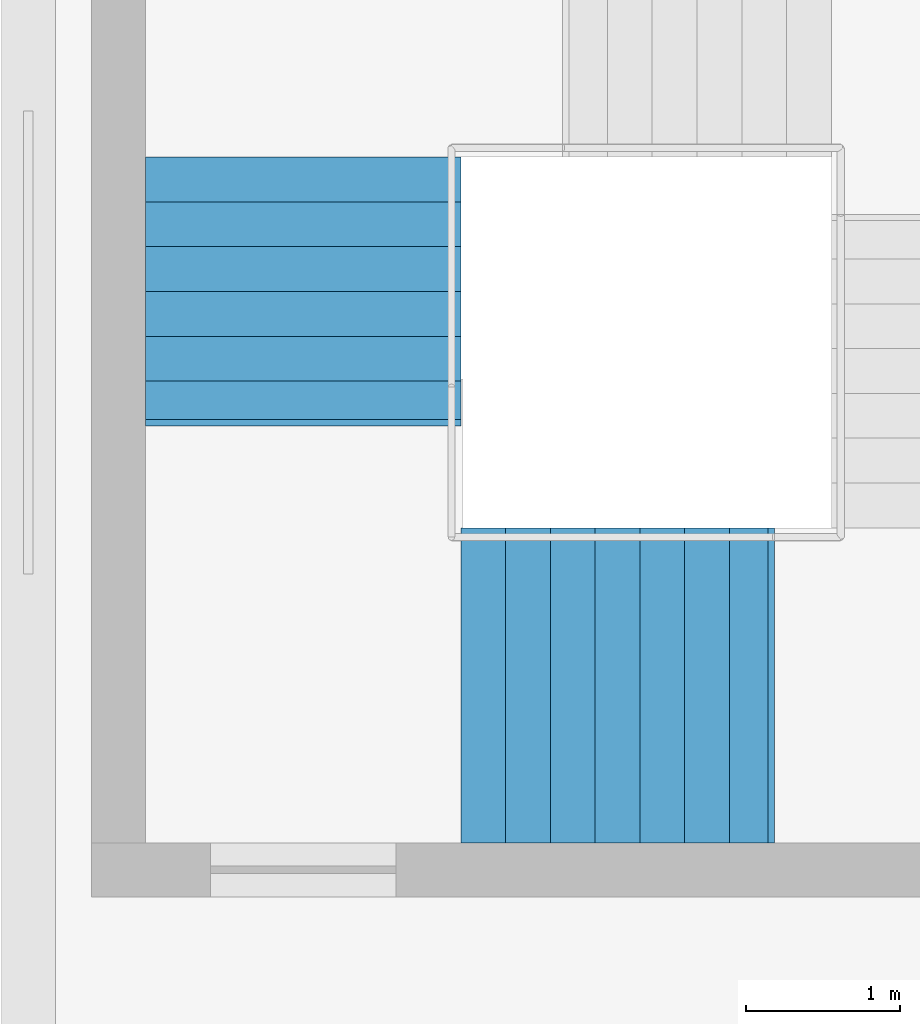
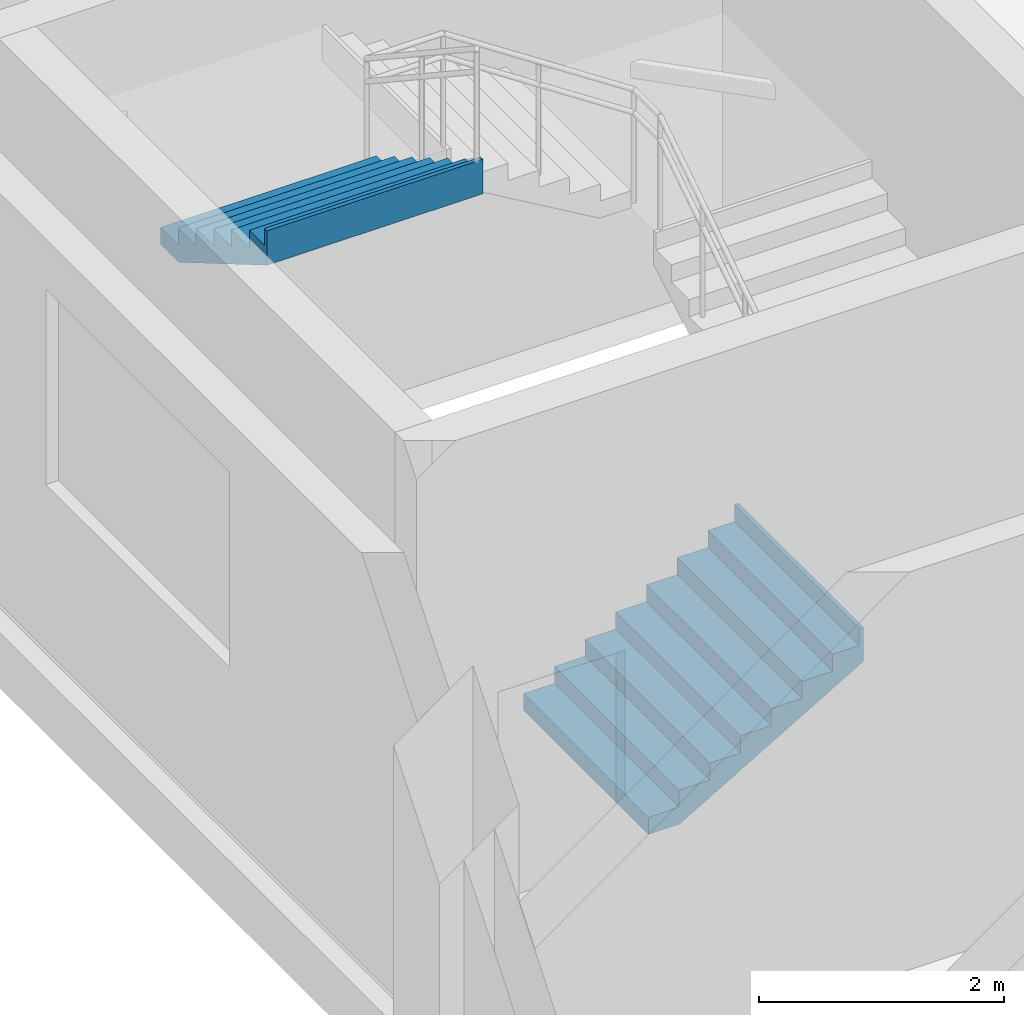
# One storey, part 56 of 67: 2 stair flights, 1 element without a shape of its own.
"""IFC4 building model written with IfcOpenShell, lengths in metres."""

from ifc_helpers import new_model, si_unit, direction, frame, origin, place, context, subcontext, project, spatial, triangles, material, type_object, element, aggregate, save


model = new_model("IFC4")

# Units and contexts
model_context = context("Model", 3, precision=1e-05, world=origin(), true_north=direction((0.0, 1.0)))
body_context = subcontext(model_context, "Body", "Model", "MODEL_VIEW")
ifc_project = project(units=[si_unit("LENGTHUNIT", "METRE"), si_unit("AREAUNIT", "SQUARE_METRE"), si_unit("VOLUMEUNIT", "CUBIC_METRE"), si_unit("PLANEANGLEUNIT", "RADIAN"), si_unit("MASSUNIT", "GRAM", prefix="KILO")], contexts=[model_context])

# Site, building, storey
site_placement = place(None, origin())
site = spatial("IfcSite", under=ifc_project, at=site_placement, CompositionType="ELEMENT")
building_placement = place(site_placement, origin())
building = spatial("IfcBuilding", under=site, at=building_placement, Name="Sillaruma Civic Art Gallery", CompositionType="ELEMENT")
storey_placement = place(building_placement, frame((0.0, 0.0, 46.919921875)))
storey = spatial("IfcBuildingStorey", under=building, at=storey_placement, Name="L09", CompositionType="ELEMENT", Elevation=46.919921875)

# Stair, stair flights
ifc_material = material(Name="Concrete H35 (35 MPa)", Category="concrete")
stair_type = type_object("IfcStairType", Name="STR-4F-30", PredefinedType="USERDEFINED", material=ifc_material)
stair_placement = place(storey_placement, origin())
stair = element("IfcStair", 1, at=stair_placement, inside=storey, type_object=stair_type, Name="Protected Exit Stair ST-03 (West Bar South) (L09)", ObjectType="THREE_RETURN_STAIR", PredefinedType="USERDEFINED")
stair_flight_type_1 = type_object("IfcStairFlightType", Name="SFL-STR-7", PredefinedType="STRAIGHT", material=ifc_material)
stair_flight_1_placement = place(storey_placement, frame((63.780029296875, 35.85009765625, 3.91015625), z_axis=(0.0, 0.0, 1.0), x_axis=(0.0, -1.0, 0.0)))
stair_flight_1 = element("IfcStairFlight", 2, at=stair_flight_1_placement, type_object=stair_flight_type_1, Name="ST-03 flight 4", NumberOfRisers=7, NumberOfTreads=6, PredefinedType="STRAIGHT", RiserHeight=0.17, TreadLength=0.29, context=body_context, shape_type="Tessellation", body=[
    triangles([(0.0, -1.02001953125, 0.0), (0.29, -1.02001953125, 0.0), (0.296404, -1.02001953125, 0.0), (0.58, -1.02001953125, 0.166246), (0.87, -1.02001953125, 0.336246), (1.16, -1.02001953125, 0.506246), (1.45, -1.02001953125, 0.676246), (1.69999, -1.02001953125, 0.822792), (1.73999, -1.02001953125, 0.84624), (1.73999, -1.02001953125, 1.19), (1.69999, -1.02001953125, 1.19), (1.69999, -1.02001953125, 1.02), (1.45, -1.02001953125, 1.02), (1.45, -1.02001953125, 0.85), (1.16, -1.02001953125, 0.85), (1.16, -1.02001953125, 0.68), (0.87, -1.02001953125, 0.68), (0.87, -1.02001953125, 0.51), (0.58, -1.02001953125, 0.51), (0.58, -1.02001953125, 0.34), (0.296404, -1.02001953125, 0.34), (0.29, -1.02001953125, 0.34), (0.29, -1.02001953125, 0.17), (0.0, -1.02001953125, 0.17), (0.0, -0.05, 0.0), (0.29, -0.05, 0.0), (0.296404, -0.05, 0.0), (0.58, -0.05, 0.166246), (0.87, -0.05, 0.336246), (1.16, -0.05, 0.506246), (1.45, -0.05, 0.676246), (1.69999, -0.05, 0.822792), (1.73999, -0.05, 0.84624), (1.73999, -0.05, 1.19), (1.69999, -0.05, 1.19), (1.69999, -0.05, 1.02), (1.45, -0.05, 1.02), (1.45, -0.05, 0.85), (1.16, -0.05, 0.85), (1.16, -0.05, 0.68), (0.87, -0.05, 0.68), (0.87, -0.05, 0.51), (0.58, -0.05, 0.51), (0.58, -0.05, 0.34), (0.296404, -0.05, 0.34), (0.29, -0.05, 0.34), (0.29, -0.05, 0.17), (0.0, -0.05, 0.17), (0.0, -0.0375, 0.0), (0.29, -0.0375, 0.0), (0.296404, -0.0375, 0.0), (0.58, -0.0375, 0.166246), (0.87, -0.0375, 0.336246), (1.16, -0.0375, 0.506246), (1.45, -0.0375, 0.676246), (1.69999, -0.0375, 0.822792), (1.73999, -0.0375, 0.84624), (1.73999, -0.0375, 1.19), (1.69999, -0.0375, 1.19), (1.69999, -0.0375, 1.02), (1.45, -0.0375, 1.02), (1.45, -0.0375, 0.85), (1.16, -0.0375, 0.85), (1.16, -0.0375, 0.68), (0.87, -0.0375, 0.68), (0.87, -0.0375, 0.51), (0.58, -0.0375, 0.51), (0.58, -0.0375, 0.34), (0.296404, -0.0375, 0.34), (0.29, -0.0375, 0.34), (0.29, -0.0375, 0.17), (0.0, -0.0375, 0.17), (0.0, -0.025, 0.0), (0.29, -0.025, 0.0), (0.296404, -0.025, 0.0), (0.58, -0.025, 0.166246), (0.87, -0.025, 0.336246), (1.16, -0.025, 0.506246), (1.45, -0.025, 0.676246), (1.69999, -0.025, 0.822792), (1.73999, -0.025, 0.84624), (1.73999, -0.025, 1.19), (1.69999, -0.025, 1.19), (1.69999, -0.025, 1.02), (1.45, -0.025, 1.02), (1.45, -0.025, 0.85), (1.16, -0.025, 0.85), (1.16, -0.025, 0.68), (0.87, -0.025, 0.68), (0.87, -0.025, 0.51), (0.58, -0.025, 0.51), (0.58, -0.025, 0.34), (0.296404, -0.025, 0.34), (0.29, -0.025, 0.34), (0.29, -0.025, 0.17), (0.0, -0.025, 0.17), (0.0, -0.0125, 0.0), (0.29, -0.0125, 0.0), (0.296404, -0.0125, 0.0), (0.58, -0.0125, 0.166246), (0.87, -0.0125, 0.336246), (1.16, -0.0125, 0.506246), (1.45, -0.0125, 0.676246), (1.69999, -0.0125, 0.822792), (1.73999, -0.0125, 0.84624), (1.73999, -0.0125, 1.19), (1.69999, -0.0125, 1.19), (1.69999, -0.0125, 1.02), (1.45, -0.0125, 1.02), (1.45, -0.0125, 0.85), (1.16, -0.0125, 0.85), (1.16, -0.0125, 0.68), (0.87, -0.0125, 0.68), (0.87, -0.0125, 0.51), (0.58, -0.0125, 0.51), (0.58, -0.0125, 0.34), (0.296404, -0.0125, 0.34), (0.29, -0.0125, 0.34), (0.29, -0.0125, 0.17), (0.0, -0.0125, 0.17), (0.0, 0.0, 0.0), (0.29, 0.0, 0.0), (0.296404, 0.0, 0.0), (0.58, 0.0, 0.166246), (0.87, 0.0, 0.336246), (1.16, 0.0, 0.506246), (1.45, 0.0, 0.676246), (1.69999, 0.0, 0.822792), (1.73999, 0.0, 0.84624), (1.73999, 0.0, 1.19), (1.69999, 0.0, 1.19), (1.69999, 0.0, 1.02), (1.45, 0.0, 1.02), (1.45, 0.0, 0.85), (1.16, 0.0, 0.85), (1.16, 0.0, 0.68), (0.87, 0.0, 0.68), (0.87, 0.0, 0.51), (0.58, 0.0, 0.51), (0.58, 0.0, 0.34), (0.296404, 0.0, 0.34), (0.29, 0.0, 0.34), (0.29, 0.0, 0.17), (0.0, 0.0, 0.17), (0.0, 0.0125, 0.0), (0.29, 0.0125, 0.0), (0.296404, 0.0125, 0.0), (0.58, 0.0125, 0.166246), (0.87, 0.0125, 0.336246), (1.16, 0.0125, 0.506246), (1.45, 0.0125, 0.676246), (1.69999, 0.0125, 0.822792), (1.73999, 0.0125, 0.84624), (1.73999, 0.0125, 1.19), (1.69999, 0.0125, 1.19), (1.69999, 0.0125, 1.02), (1.45, 0.0125, 1.02), (1.45, 0.0125, 0.85), (1.16, 0.0125, 0.85), (1.16, 0.0125, 0.68), (0.87, 0.0125, 0.68), (0.87, 0.0125, 0.51), (0.58, 0.0125, 0.51), (0.58, 0.0125, 0.34), (0.296404, 0.0125, 0.34), (0.29, 0.0125, 0.34), (0.29, 0.0125, 0.17), (0.0, 0.0125, 0.17), (0.0, 0.025, 0.0), (0.29, 0.025, 0.0), (0.296404, 0.025, 0.0), (0.58, 0.025, 0.166246), (0.87, 0.025, 0.336246), (1.16, 0.025, 0.506246), (1.45, 0.025, 0.676246), (1.69999, 0.025, 0.822792), (1.73999, 0.025, 0.84624), (1.73999, 0.025, 1.19), (1.69999, 0.025, 1.19), (1.69999, 0.025, 1.02), (1.45, 0.025, 1.02), (1.45, 0.025, 0.85), (1.16, 0.025, 0.85), (1.16, 0.025, 0.68), (0.87, 0.025, 0.68), (0.87, 0.025, 0.51), (0.58, 0.025, 0.51), (0.58, 0.025, 0.34), (0.296404, 0.025, 0.34), (0.29, 0.025, 0.34), (0.29, 0.025, 0.17), (0.0, 0.025, 0.17), (0.0, 0.0375, 0.0), (0.29, 0.0375, 0.0), (0.296404, 0.0375, 0.0), (0.58, 0.0375, 0.166246), (0.87, 0.0375, 0.336246), (1.16, 0.0375, 0.506246), (1.45, 0.0375, 0.676246), (1.69999, 0.0375, 0.822792), (1.73999, 0.0375, 0.84624), (1.73999, 0.0375, 1.19), (1.69999, 0.0375, 1.19), (1.69999, 0.0375, 1.02), (1.45, 0.0375, 1.02), (1.45, 0.0375, 0.85), (1.16, 0.0375, 0.85), (1.16, 0.0375, 0.68), (0.87, 0.0375, 0.68), (0.87, 0.0375, 0.51), (0.58, 0.0375, 0.51), (0.58, 0.0375, 0.34), (0.296404, 0.0375, 0.34), (0.29, 0.0375, 0.34), (0.29, 0.0375, 0.17), (0.0, 0.0375, 0.17), (0.0, 0.05, 0.0), (0.29, 0.05, 0.0), (0.296404, 0.05, 0.0), (0.58, 0.05, 0.166246), (0.87, 0.05, 0.336246), (1.16, 0.05, 0.506246), (1.45, 0.05, 0.676246), (1.69999, 0.05, 0.822792), (1.73999, 0.05, 0.84624), (1.73999, 0.05, 1.19), (1.69999, 0.05, 1.19), (1.69999, 0.05, 1.02), (1.45, 0.05, 1.02), (1.45, 0.05, 0.85), (1.16, 0.05, 0.85), (1.16, 0.05, 0.68), (0.87, 0.05, 0.68), (0.87, 0.05, 0.51), (0.58, 0.05, 0.51), (0.58, 0.05, 0.34), (0.296404, 0.05, 0.34), (0.29, 0.05, 0.34), (0.29, 0.05, 0.17), (0.0, 0.05, 0.17), (0.0, 1.02001953125, 0.0), (0.29, 1.02001953125, 0.0), (0.296404, 1.02001953125, 0.0), (0.58, 1.02001953125, 0.166246), (0.87, 1.02001953125, 0.336246), (1.16, 1.02001953125, 0.506246), (1.45, 1.02001953125, 0.676246), (1.69999, 1.02001953125, 0.822792), (1.73999, 1.02001953125, 0.84624), (1.73999, 1.02001953125, 1.19), (1.69999, 1.02001953125, 1.19), (1.69999, 1.02001953125, 1.02), (1.45, 1.02001953125, 1.02), (1.45, 1.02001953125, 0.85), (1.16, 1.02001953125, 0.85), (1.16, 1.02001953125, 0.68), (0.87, 1.02001953125, 0.68), (0.87, 1.02001953125, 0.51), (0.58, 1.02001953125, 0.51), (0.58, 1.02001953125, 0.34), (0.296404, 1.02001953125, 0.34), (0.29, 1.02001953125, 0.34), (0.29, 1.02001953125, 0.17), (0.0, 1.02001953125, 0.17)], [[1, 2, 23], [1, 23, 24], [2, 3, 21], [2, 21, 23], [23, 21, 22], [3, 4, 20], [3, 20, 21], [4, 5, 18], [4, 18, 20], [20, 18, 19], [5, 6, 16], [5, 16, 18], [18, 16, 17], [6, 7, 14], [6, 14, 16], [16, 14, 15], [7, 8, 12], [7, 12, 14], [14, 12, 13], [8, 9, 10], [8, 10, 12], [12, 10, 11], [263, 242, 241], [264, 263, 241], [261, 243, 242], [263, 261, 242], [262, 261, 263], [260, 244, 243], [261, 260, 243], [258, 245, 244], [260, 258, 244], [259, 258, 260], [256, 246, 245], [258, 256, 245], [257, 256, 258], [254, 247, 246], [256, 254, 246], [255, 254, 256], [252, 248, 247], [254, 252, 247], [253, 252, 254], [250, 249, 248], [252, 250, 248], [251, 250, 252], [2, 1, 25], [2, 25, 26], [3, 2, 26], [3, 26, 27], [4, 3, 27], [4, 27, 28], [5, 4, 28], [5, 28, 29], [6, 5, 29], [6, 29, 30], [7, 6, 30], [7, 30, 31], [8, 7, 31], [8, 31, 32], [9, 8, 32], [9, 32, 33], [10, 9, 33], [10, 33, 34], [11, 10, 34], [11, 34, 35], [12, 11, 35], [12, 35, 36], [13, 12, 36], [13, 36, 37], [14, 13, 37], [14, 37, 38], [15, 14, 38], [15, 38, 39], [16, 15, 39], [16, 39, 40], [17, 16, 40], [17, 40, 41], [18, 17, 41], [18, 41, 42], [19, 18, 42], [19, 42, 43], [20, 19, 43], [20, 43, 44], [21, 20, 44], [21, 44, 45], [22, 21, 45], [22, 45, 46], [23, 22, 46], [23, 46, 47], [24, 23, 47], [24, 47, 48], [1, 24, 48], [1, 48, 25], [26, 25, 49], [26, 49, 50], [27, 26, 50], [27, 50, 51], [28, 27, 51], [28, 51, 52], [29, 28, 52], [29, 52, 53], [30, 29, 53], [30, 53, 54], [31, 30, 54], [31, 54, 55], [32, 31, 55], [32, 55, 56], [33, 32, 56], [33, 56, 57], [34, 33, 57], [34, 57, 58], [35, 34, 58], [35, 58, 59], [36, 35, 59], [36, 59, 60], [37, 36, 60], [37, 60, 61], [38, 37, 61], [38, 61, 62], [39, 38, 62], [39, 62, 63], [40, 39, 63], [40, 63, 64], [41, 40, 64], [41, 64, 65], [42, 41, 65], [42, 65, 66], [43, 42, 66], [43, 66, 67], [44, 43, 67], [44, 67, 68], [45, 44, 68], [45, 68, 69], [46, 45, 69], [46, 69, 70], [47, 46, 70], [47, 70, 71], [48, 47, 71], [48, 71, 72], [25, 48, 72], [25, 72, 49], [50, 49, 73], [50, 73, 74], [51, 50, 74], [51, 74, 75], [52, 51, 75], [52, 75, 76], [53, 52, 76], [53, 76, 77], [54, 53, 77], [54, 77, 78], [55, 54, 78], [55, 78, 79], [56, 55, 79], [56, 79, 80], [57, 56, 80], [57, 80, 81], [58, 57, 81], [58, 81, 82], [59, 58, 82], [59, 82, 83], [60, 59, 83], [60, 83, 84], [61, 60, 84], [61, 84, 85], [62, 61, 85], [62, 85, 86], [63, 62, 86], [63, 86, 87], [64, 63, 87], [64, 87, 88], [65, 64, 88], [65, 88, 89], [66, 65, 89], [66, 89, 90], [67, 66, 90], [67, 90, 91], [68, 67, 91], [68, 91, 92], [69, 68, 92], [69, 92, 93], [70, 69, 93], [70, 93, 94], [71, 70, 94], [71, 94, 95], [72, 71, 95], [72, 95, 96], [49, 72, 96], [49, 96, 73], [74, 73, 97], [74, 97, 98], [75, 74, 98], [75, 98, 99], [76, 75, 99], [76, 99, 100], [77, 76, 100], [77, 100, 101], [78, 77, 101], [78, 101, 102], [79, 78, 102], [79, 102, 103], [80, 79, 103], [80, 103, 104], [81, 80, 104], [81, 104, 105], [82, 81, 105], [82, 105, 106], [83, 82, 106], [83, 106, 107], [84, 83, 107], [84, 107, 108], [85, 84, 108], [85, 108, 109], [86, 85, 109], [86, 109, 110], [87, 86, 110], [87, 110, 111], [88, 87, 111], [88, 111, 112], [89, 88, 112], [89, 112, 113], [90, 89, 113], [90, 113, 114], [91, 90, 114], [91, 114, 115], [92, 91, 115], [92, 115, 116], [93, 92, 116], [93, 116, 117], [94, 93, 117], [94, 117, 118], [95, 94, 118], [95, 118, 119], [96, 95, 119], [96, 119, 120], [73, 96, 120], [73, 120, 97], [98, 97, 121], [98, 121, 122], [99, 98, 122], [99, 122, 123], [100, 99, 123], [100, 123, 124], [101, 100, 124], [101, 124, 125], [102, 101, 125], [102, 125, 126], [103, 102, 126], [103, 126, 127], [104, 103, 127], [104, 127, 128], [105, 104, 128], [105, 128, 129], [106, 105, 129], [106, 129, 130], [107, 106, 130], [107, 130, 131], [108, 107, 131], [108, 131, 132], [109, 108, 132], [109, 132, 133], [110, 109, 133], [110, 133, 134], [111, 110, 134], [111, 134, 135], [112, 111, 135], [112, 135, 136], [113, 112, 136], [113, 136, 137], [114, 113, 137], [114, 137, 138], [115, 114, 138], [115, 138, 139], [116, 115, 139], [116, 139, 140], [117, 116, 140], [117, 140, 141], [118, 117, 141], [118, 141, 142], [119, 118, 142], [119, 142, 143], [120, 119, 143], [120, 143, 144], [97, 120, 144], [97, 144, 121], [122, 121, 145], [122, 145, 146], [123, 122, 146], [123, 146, 147], [124, 123, 147], [124, 147, 148], [125, 124, 148], [125, 148, 149], [126, 125, 149], [126, 149, 150], [127, 126, 150], [127, 150, 151], [128, 127, 151], [128, 151, 152], [129, 128, 152], [129, 152, 153], [130, 129, 153], [130, 153, 154], [131, 130, 154], [131, 154, 155], [132, 131, 155], [132, 155, 156], [133, 132, 156], [133, 156, 157], [134, 133, 157], [134, 157, 158], [135, 134, 158], [135, 158, 159], [136, 135, 159], [136, 159, 160], [137, 136, 160], [137, 160, 161], [138, 137, 161], [138, 161, 162], [139, 138, 162], [139, 162, 163], [140, 139, 163], [140, 163, 164], [141, 140, 164], [141, 164, 165], [142, 141, 165], [142, 165, 166], [143, 142, 166], [143, 166, 167], [144, 143, 167], [144, 167, 168], [121, 144, 168], [121, 168, 145], [146, 145, 169], [146, 169, 170], [147, 146, 170], [147, 170, 171], [148, 147, 171], [148, 171, 172], [149, 148, 172], [149, 172, 173], [150, 149, 173], [150, 173, 174], [151, 150, 174], [151, 174, 175], [152, 151, 175], [152, 175, 176], [153, 152, 176], [153, 176, 177], [154, 153, 177], [154, 177, 178], [155, 154, 178], [155, 178, 179], [156, 155, 179], [156, 179, 180], [157, 156, 180], [157, 180, 181], [158, 157, 181], [158, 181, 182], [159, 158, 182], [159, 182, 183], [160, 159, 183], [160, 183, 184], [161, 160, 184], [161, 184, 185], [162, 161, 185], [162, 185, 186], [163, 162, 186], [163, 186, 187], [164, 163, 187], [164, 187, 188], [165, 164, 188], [165, 188, 189], [166, 165, 189], [166, 189, 190], [167, 166, 190], [167, 190, 191], [168, 167, 191], [168, 191, 192], [145, 168, 192], [145, 192, 169], [170, 169, 193], [170, 193, 194], [171, 170, 194], [171, 194, 195], [172, 171, 195], [172, 195, 196], [173, 172, 196], [173, 196, 197], [174, 173, 197], [174, 197, 198], [175, 174, 198], [175, 198, 199], [176, 175, 199], [176, 199, 200], [177, 176, 200], [177, 200, 201], [178, 177, 201], [178, 201, 202], [179, 178, 202], [179, 202, 203], [180, 179, 203], [180, 203, 204], [181, 180, 204], [181, 204, 205], [182, 181, 205], [182, 205, 206], [183, 182, 206], [183, 206, 207], [184, 183, 207], [184, 207, 208], [185, 184, 208], [185, 208, 209], [186, 185, 209], [186, 209, 210], [187, 186, 210], [187, 210, 211], [188, 187, 211], [188, 211, 212], [189, 188, 212], [189, 212, 213], [190, 189, 213], [190, 213, 214], [191, 190, 214], [191, 214, 215], [192, 191, 215], [192, 215, 216], [169, 192, 216], [169, 216, 193], [194, 193, 217], [194, 217, 218], [195, 194, 218], [195, 218, 219], [196, 195, 219], [196, 219, 220], [197, 196, 220], [197, 220, 221], [198, 197, 221], [198, 221, 222], [199, 198, 222], [199, 222, 223], [200, 199, 223], [200, 223, 224], [201, 200, 224], [201, 224, 225], [202, 201, 225], [202, 225, 226], [203, 202, 226], [203, 226, 227], [204, 203, 227], [204, 227, 228], [205, 204, 228], [205, 228, 229], [206, 205, 229], [206, 229, 230], [207, 206, 230], [207, 230, 231], [208, 207, 231], [208, 231, 232], [209, 208, 232], [209, 232, 233], [210, 209, 233], [210, 233, 234], [211, 210, 234], [211, 234, 235], [212, 211, 235], [212, 235, 236], [213, 212, 236], [213, 236, 237], [214, 213, 237], [214, 237, 238], [215, 214, 238], [215, 238, 239], [216, 215, 239], [216, 239, 240], [193, 216, 240], [193, 240, 217], [218, 217, 241], [218, 241, 242], [219, 218, 242], [219, 242, 243], [220, 219, 243], [220, 243, 244], [221, 220, 244], [221, 244, 245], [222, 221, 245], [222, 245, 246], [223, 222, 246], [223, 246, 247], [224, 223, 247], [224, 247, 248], [225, 224, 248], [225, 248, 249], [226, 225, 249], [226, 249, 250], [227, 226, 250], [227, 250, 251], [228, 227, 251], [228, 251, 252], [229, 228, 252], [229, 252, 253], [230, 229, 253], [230, 253, 254], [231, 230, 254], [231, 254, 255], [232, 231, 255], [232, 255, 256], [233, 232, 256], [233, 256, 257], [234, 233, 257], [234, 257, 258], [235, 234, 258], [235, 258, 259], [236, 235, 259], [236, 259, 260], [237, 236, 260], [237, 260, 261], [238, 237, 261], [238, 261, 262], [239, 238, 262], [239, 262, 263], [240, 239, 263], [240, 263, 264], [217, 240, 264], [217, 264, 241]], closed=True),
])
stair_flight_type_2 = type_object("IfcStairFlightType", Name="SFL-STR-8", PredefinedType="STRAIGHT", material=ifc_material)
stair_flight_2_placement = place(storey_placement, frame((64.800048828125, 32.429931640625, 0.0), z_axis=(0.0, 0.0, 1.0), x_axis=(1.0, 0.0, 0.0)))
stair_flight_2 = element("IfcStairFlight", 3, at=stair_flight_2_placement, type_object=stair_flight_type_2, Name="ST-03 flight 1", NumberOfRisers=8, NumberOfTreads=7, PredefinedType="STRAIGHT", RiserHeight=0.17, TreadLength=0.29, context=body_context, shape_type="Tessellation", body=[
    triangles([(0.0, -1.02001953125, 0.0), (0.29, -1.02001953125, 0.0), (0.296443, -1.02001953125, 0.0), (0.58, -1.02001953125, 0.166223), (0.87, -1.02001953125, 0.336223), (1.16, -1.02001953125, 0.506223), (1.45, -1.02001953125, 0.676223), (1.74, -1.02001953125, 0.846223), (1.990029, -1.02001953125, 0.992792), (2.030029, -1.02001953125, 1.01624), (2.030029, -1.02001953125, 1.36), (1.990029, -1.02001953125, 1.36), (1.990029, -1.02001953125, 1.19), (1.74, -1.02001953125, 1.19), (1.74, -1.02001953125, 1.02), (1.45, -1.02001953125, 1.02), (1.45, -1.02001953125, 0.85), (1.16, -1.02001953125, 0.85), (1.16, -1.02001953125, 0.68), (0.87, -1.02001953125, 0.68), (0.87, -1.02001953125, 0.51), (0.58, -1.02001953125, 0.51), (0.58, -1.02001953125, 0.34), (0.296443, -1.02001953125, 0.34), (0.29, -1.02001953125, 0.34), (0.29, -1.02001953125, 0.17), (0.0, -1.02001953125, 0.17), (0.0, -0.05, 0.0), (0.29, -0.05, 0.0), (0.296443, -0.05, 0.0), (0.58, -0.05, 0.166223), (0.87, -0.05, 0.336223), (1.16, -0.05, 0.506223), (1.45, -0.05, 0.676223), (1.74, -0.05, 0.846223), (1.990029, -0.05, 0.992792), (2.030029, -0.05, 1.01624), (2.030029, -0.05, 1.36), (1.990029, -0.05, 1.36), (1.990029, -0.05, 1.19), (1.74, -0.05, 1.19), (1.74, -0.05, 1.02), (1.45, -0.05, 1.02), (1.45, -0.05, 0.85), (1.16, -0.05, 0.85), (1.16, -0.05, 0.68), (0.87, -0.05, 0.68), (0.87, -0.05, 0.51), (0.58, -0.05, 0.51), (0.58, -0.05, 0.34), (0.296443, -0.05, 0.34), (0.29, -0.05, 0.34), (0.29, -0.05, 0.17), (0.0, -0.05, 0.17), (0.0, -0.0375, 0.0), (0.29, -0.0375, 0.0), (0.296443, -0.0375, 0.0), (0.58, -0.0375, 0.166223), (0.87, -0.0375, 0.336223), (1.16, -0.0375, 0.506223), (1.45, -0.0375, 0.676223), (1.74, -0.0375, 0.846223), (1.990029, -0.0375, 0.992792), (2.030029, -0.0375, 1.01624), (2.030029, -0.0375, 1.36), (1.990029, -0.0375, 1.36), (1.990029, -0.0375, 1.19), (1.74, -0.0375, 1.19), (1.74, -0.0375, 1.02), (1.45, -0.0375, 1.02), (1.45, -0.0375, 0.85), (1.16, -0.0375, 0.85), (1.16, -0.0375, 0.68), (0.87, -0.0375, 0.68), (0.87, -0.0375, 0.51), (0.58, -0.0375, 0.51), (0.58, -0.0375, 0.34), (0.296443, -0.0375, 0.34), (0.29, -0.0375, 0.34), (0.29, -0.0375, 0.17), (0.0, -0.0375, 0.17), (0.0, -0.025, 0.0), (0.29, -0.025, 0.0), (0.296443, -0.025, 0.0), (0.58, -0.025, 0.166223), (0.87, -0.025, 0.336223), (1.16, -0.025, 0.506223), (1.45, -0.025, 0.676223), (1.74, -0.025, 0.846223), (1.990029, -0.025, 0.992792), (2.030029, -0.025, 1.01624), (2.030029, -0.025, 1.36), (1.990029, -0.025, 1.36), (1.990029, -0.025, 1.19), (1.74, -0.025, 1.19), (1.74, -0.025, 1.02), (1.45, -0.025, 1.02), (1.45, -0.025, 0.85), (1.16, -0.025, 0.85), (1.16, -0.025, 0.68), (0.87, -0.025, 0.68), (0.87, -0.025, 0.51), (0.58, -0.025, 0.51), (0.58, -0.025, 0.34), (0.296443, -0.025, 0.34), (0.29, -0.025, 0.34), (0.29, -0.025, 0.17), (0.0, -0.025, 0.17), (0.0, -0.0125, 0.0), (0.29, -0.0125, 0.0), (0.296443, -0.0125, 0.0), (0.58, -0.0125, 0.166223), (0.87, -0.0125, 0.336223), (1.16, -0.0125, 0.506223), (1.45, -0.0125, 0.676223), (1.74, -0.0125, 0.846223), (1.990029, -0.0125, 0.992792), (2.030029, -0.0125, 1.01624), (2.030029, -0.0125, 1.36), (1.990029, -0.0125, 1.36), (1.990029, -0.0125, 1.19), (1.74, -0.0125, 1.19), (1.74, -0.0125, 1.02), (1.45, -0.0125, 1.02), (1.45, -0.0125, 0.85), (1.16, -0.0125, 0.85), (1.16, -0.0125, 0.68), (0.87, -0.0125, 0.68), (0.87, -0.0125, 0.51), (0.58, -0.0125, 0.51), (0.58, -0.0125, 0.34), (0.296443, -0.0125, 0.34), (0.29, -0.0125, 0.34), (0.29, -0.0125, 0.17), (0.0, -0.0125, 0.17), (0.0, 0.0, 0.0), (0.29, 0.0, 0.0), (0.296443, 0.0, 0.0), (0.58, 0.0, 0.166223), (0.87, 0.0, 0.336223), (1.16, 0.0, 0.506223), (1.45, 0.0, 0.676223), (1.74, 0.0, 0.846223), (1.990029, 0.0, 0.992792), (2.030029, 0.0, 1.01624), (2.030029, 0.0, 1.36), (1.990029, 0.0, 1.36), (1.990029, 0.0, 1.19), (1.74, 0.0, 1.19), (1.74, 0.0, 1.02), (1.45, 0.0, 1.02), (1.45, 0.0, 0.85), (1.16, 0.0, 0.85), (1.16, 0.0, 0.68), (0.87, 0.0, 0.68), (0.87, 0.0, 0.51), (0.58, 0.0, 0.51), (0.58, 0.0, 0.34), (0.296443, 0.0, 0.34), (0.29, 0.0, 0.34), (0.29, 0.0, 0.17), (0.0, 0.0, 0.17), (0.0, 0.0125, 0.0), (0.29, 0.0125, 0.0), (0.296443, 0.0125, 0.0), (0.58, 0.0125, 0.166223), (0.87, 0.0125, 0.336223), (1.16, 0.0125, 0.506223), (1.45, 0.0125, 0.676223), (1.74, 0.0125, 0.846223), (1.990029, 0.0125, 0.992792), (2.030029, 0.0125, 1.01624), (2.030029, 0.0125, 1.36), (1.990029, 0.0125, 1.36), (1.990029, 0.0125, 1.19), (1.74, 0.0125, 1.19), (1.74, 0.0125, 1.02), (1.45, 0.0125, 1.02), (1.45, 0.0125, 0.85), (1.16, 0.0125, 0.85), (1.16, 0.0125, 0.68), (0.87, 0.0125, 0.68), (0.87, 0.0125, 0.51), (0.58, 0.0125, 0.51), (0.58, 0.0125, 0.34), (0.296443, 0.0125, 0.34), (0.29, 0.0125, 0.34), (0.29, 0.0125, 0.17), (0.0, 0.0125, 0.17), (0.0, 0.025, 0.0), (0.29, 0.025, 0.0), (0.296443, 0.025, 0.0), (0.58, 0.025, 0.166223), (0.87, 0.025, 0.336223), (1.16, 0.025, 0.506223), (1.45, 0.025, 0.676223), (1.74, 0.025, 0.846223), (1.990029, 0.025, 0.992792), (2.030029, 0.025, 1.01624), (2.030029, 0.025, 1.36), (1.990029, 0.025, 1.36), (1.990029, 0.025, 1.19), (1.74, 0.025, 1.19), (1.74, 0.025, 1.02), (1.45, 0.025, 1.02), (1.45, 0.025, 0.85), (1.16, 0.025, 0.85), (1.16, 0.025, 0.68), (0.87, 0.025, 0.68), (0.87, 0.025, 0.51), (0.58, 0.025, 0.51), (0.58, 0.025, 0.34), (0.296443, 0.025, 0.34), (0.29, 0.025, 0.34), (0.29, 0.025, 0.17), (0.0, 0.025, 0.17), (0.0, 0.0375, 0.0), (0.29, 0.0375, 0.0), (0.296443, 0.0375, 0.0), (0.58, 0.0375, 0.166223), (0.87, 0.0375, 0.336223), (1.16, 0.0375, 0.506223), (1.45, 0.0375, 0.676223), (1.74, 0.0375, 0.846223), (1.990029, 0.0375, 0.992792), (2.030029, 0.0375, 1.01624), (2.030029, 0.0375, 1.36), (1.990029, 0.0375, 1.36), (1.990029, 0.0375, 1.19), (1.74, 0.0375, 1.19), (1.74, 0.0375, 1.02), (1.45, 0.0375, 1.02), (1.45, 0.0375, 0.85), (1.16, 0.0375, 0.85), (1.16, 0.0375, 0.68), (0.87, 0.0375, 0.68), (0.87, 0.0375, 0.51), (0.58, 0.0375, 0.51), (0.58, 0.0375, 0.34), (0.296443, 0.0375, 0.34), (0.29, 0.0375, 0.34), (0.29, 0.0375, 0.17), (0.0, 0.0375, 0.17), (0.0, 0.05, 0.0), (0.29, 0.05, 0.0), (0.296443, 0.05, 0.0), (0.58, 0.05, 0.166223), (0.87, 0.05, 0.336223), (1.16, 0.05, 0.506223), (1.45, 0.05, 0.676223), (1.74, 0.05, 0.846223), (1.990029, 0.05, 0.992792), (2.030029, 0.05, 1.01624), (2.030029, 0.05, 1.36), (1.990029, 0.05, 1.36), (1.990029, 0.05, 1.19), (1.74, 0.05, 1.19), (1.74, 0.05, 1.02), (1.45, 0.05, 1.02), (1.45, 0.05, 0.85), (1.16, 0.05, 0.85), (1.16, 0.05, 0.68), (0.87, 0.05, 0.68), (0.87, 0.05, 0.51), (0.58, 0.05, 0.51), (0.58, 0.05, 0.34), (0.296443, 0.05, 0.34), (0.29, 0.05, 0.34), (0.29, 0.05, 0.17), (0.0, 0.05, 0.17), (0.0, 1.02001953125, 0.0), (0.29, 1.02001953125, 0.0), (0.296443, 1.02001953125, 0.0), (0.58, 1.02001953125, 0.166223), (0.87, 1.02001953125, 0.336223), (1.16, 1.02001953125, 0.506223), (1.45, 1.02001953125, 0.676223), (1.74, 1.02001953125, 0.846223), (1.990029, 1.02001953125, 0.992792), (2.030029, 1.02001953125, 1.01624), (2.030029, 1.02001953125, 1.36), (1.990029, 1.02001953125, 1.36), (1.990029, 1.02001953125, 1.19), (1.74, 1.02001953125, 1.19), (1.74, 1.02001953125, 1.02), (1.45, 1.02001953125, 1.02), (1.45, 1.02001953125, 0.85), (1.16, 1.02001953125, 0.85), (1.16, 1.02001953125, 0.68), (0.87, 1.02001953125, 0.68), (0.87, 1.02001953125, 0.51), (0.58, 1.02001953125, 0.51), (0.58, 1.02001953125, 0.34), (0.296443, 1.02001953125, 0.34), (0.29, 1.02001953125, 0.34), (0.29, 1.02001953125, 0.17), (0.0, 1.02001953125, 0.17)], [[1, 2, 26], [1, 26, 27], [2, 3, 24], [2, 24, 26], [26, 24, 25], [3, 4, 23], [3, 23, 24], [4, 5, 21], [4, 21, 23], [23, 21, 22], [5, 6, 19], [5, 19, 21], [21, 19, 20], [6, 7, 17], [6, 17, 19], [19, 17, 18], [7, 8, 15], [7, 15, 17], [17, 15, 16], [8, 9, 13], [8, 13, 15], [15, 13, 14], [9, 10, 11], [9, 11, 13], [13, 11, 12], [296, 272, 271], [297, 296, 271], [294, 273, 272], [296, 294, 272], [295, 294, 296], [293, 274, 273], [294, 293, 273], [291, 275, 274], [293, 291, 274], [292, 291, 293], [289, 276, 275], [291, 289, 275], [290, 289, 291], [287, 277, 276], [289, 287, 276], [288, 287, 289], [285, 278, 277], [287, 285, 277], [286, 285, 287], [283, 279, 278], [285, 283, 278], [284, 283, 285], [281, 280, 279], [283, 281, 279], [282, 281, 283], [2, 1, 28], [2, 28, 29], [3, 2, 29], [3, 29, 30], [4, 3, 30], [4, 30, 31], [5, 4, 31], [5, 31, 32], [6, 5, 32], [6, 32, 33], [7, 6, 33], [7, 33, 34], [8, 7, 34], [8, 34, 35], [9, 8, 35], [9, 35, 36], [10, 9, 36], [10, 36, 37], [11, 10, 37], [11, 37, 38], [12, 11, 38], [12, 38, 39], [13, 12, 39], [13, 39, 40], [14, 13, 40], [14, 40, 41], [15, 14, 41], [15, 41, 42], [16, 15, 42], [16, 42, 43], [17, 16, 43], [17, 43, 44], [18, 17, 44], [18, 44, 45], [19, 18, 45], [19, 45, 46], [20, 19, 46], [20, 46, 47], [21, 20, 47], [21, 47, 48], [22, 21, 48], [22, 48, 49], [23, 22, 49], [23, 49, 50], [24, 23, 50], [24, 50, 51], [25, 24, 51], [25, 51, 52], [26, 25, 52], [26, 52, 53], [27, 26, 53], [27, 53, 54], [1, 27, 54], [1, 54, 28], [29, 28, 55], [29, 55, 56], [30, 29, 56], [30, 56, 57], [31, 30, 57], [31, 57, 58], [32, 31, 58], [32, 58, 59], [33, 32, 59], [33, 59, 60], [34, 33, 60], [34, 60, 61], [35, 34, 61], [35, 61, 62], [36, 35, 62], [36, 62, 63], [37, 36, 63], [37, 63, 64], [38, 37, 64], [38, 64, 65], [39, 38, 65], [39, 65, 66], [40, 39, 66], [40, 66, 67], [41, 40, 67], [41, 67, 68], [42, 41, 68], [42, 68, 69], [43, 42, 69], [43, 69, 70], [44, 43, 70], [44, 70, 71], [45, 44, 71], [45, 71, 72], [46, 45, 72], [46, 72, 73], [47, 46, 73], [47, 73, 74], [48, 47, 74], [48, 74, 75], [49, 48, 75], [49, 75, 76], [50, 49, 76], [50, 76, 77], [51, 50, 77], [51, 77, 78], [52, 51, 78], [52, 78, 79], [53, 52, 79], [53, 79, 80], [54, 53, 80], [54, 80, 81], [28, 54, 81], [28, 81, 55], [56, 55, 82], [56, 82, 83], [57, 56, 83], [57, 83, 84], [58, 57, 84], [58, 84, 85], [59, 58, 85], [59, 85, 86], [60, 59, 86], [60, 86, 87], [61, 60, 87], [61, 87, 88], [62, 61, 88], [62, 88, 89], [63, 62, 89], [63, 89, 90], [64, 63, 90], [64, 90, 91], [65, 64, 91], [65, 91, 92], [66, 65, 92], [66, 92, 93], [67, 66, 93], [67, 93, 94], [68, 67, 94], [68, 94, 95], [69, 68, 95], [69, 95, 96], [70, 69, 96], [70, 96, 97], [71, 70, 97], [71, 97, 98], [72, 71, 98], [72, 98, 99], [73, 72, 99], [73, 99, 100], [74, 73, 100], [74, 100, 101], [75, 74, 101], [75, 101, 102], [76, 75, 102], [76, 102, 103], [77, 76, 103], [77, 103, 104], [78, 77, 104], [78, 104, 105], [79, 78, 105], [79, 105, 106], [80, 79, 106], [80, 106, 107], [81, 80, 107], [81, 107, 108], [55, 81, 108], [55, 108, 82], [83, 82, 109], [83, 109, 110], [84, 83, 110], [84, 110, 111], [85, 84, 111], [85, 111, 112], [86, 85, 112], [86, 112, 113], [87, 86, 113], [87, 113, 114], [88, 87, 114], [88, 114, 115], [89, 88, 115], [89, 115, 116], [90, 89, 116], [90, 116, 117], [91, 90, 117], [91, 117, 118], [92, 91, 118], [92, 118, 119], [93, 92, 119], [93, 119, 120], [94, 93, 120], [94, 120, 121], [95, 94, 121], [95, 121, 122], [96, 95, 122], [96, 122, 123], [97, 96, 123], [97, 123, 124], [98, 97, 124], [98, 124, 125], [99, 98, 125], [99, 125, 126], [100, 99, 126], [100, 126, 127], [101, 100, 127], [101, 127, 128], [102, 101, 128], [102, 128, 129], [103, 102, 129], [103, 129, 130], [104, 103, 130], [104, 130, 131], [105, 104, 131], [105, 131, 132], [106, 105, 132], [106, 132, 133], [107, 106, 133], [107, 133, 134], [108, 107, 134], [108, 134, 135], [82, 108, 135], [82, 135, 109], [110, 109, 136], [110, 136, 137], [111, 110, 137], [111, 137, 138], [112, 111, 138], [112, 138, 139], [113, 112, 139], [113, 139, 140], [114, 113, 140], [114, 140, 141], [115, 114, 141], [115, 141, 142], [116, 115, 142], [116, 142, 143], [117, 116, 143], [117, 143, 144], [118, 117, 144], [118, 144, 145], [119, 118, 145], [119, 145, 146], [120, 119, 146], [120, 146, 147], [121, 120, 147], [121, 147, 148], [122, 121, 148], [122, 148, 149], [123, 122, 149], [123, 149, 150], [124, 123, 150], [124, 150, 151], [125, 124, 151], [125, 151, 152], [126, 125, 152], [126, 152, 153], [127, 126, 153], [127, 153, 154], [128, 127, 154], [128, 154, 155], [129, 128, 155], [129, 155, 156], [130, 129, 156], [130, 156, 157], [131, 130, 157], [131, 157, 158], [132, 131, 158], [132, 158, 159], [133, 132, 159], [133, 159, 160], [134, 133, 160], [134, 160, 161], [135, 134, 161], [135, 161, 162], [109, 135, 162], [109, 162, 136], [137, 136, 163], [137, 163, 164], [138, 137, 164], [138, 164, 165], [139, 138, 165], [139, 165, 166], [140, 139, 166], [140, 166, 167], [141, 140, 167], [141, 167, 168], [142, 141, 168], [142, 168, 169], [143, 142, 169], [143, 169, 170], [144, 143, 170], [144, 170, 171], [145, 144, 171], [145, 171, 172], [146, 145, 172], [146, 172, 173], [147, 146, 173], [147, 173, 174], [148, 147, 174], [148, 174, 175], [149, 148, 175], [149, 175, 176], [150, 149, 176], [150, 176, 177], [151, 150, 177], [151, 177, 178], [152, 151, 178], [152, 178, 179], [153, 152, 179], [153, 179, 180], [154, 153, 180], [154, 180, 181], [155, 154, 181], [155, 181, 182], [156, 155, 182], [156, 182, 183], [157, 156, 183], [157, 183, 184], [158, 157, 184], [158, 184, 185], [159, 158, 185], [159, 185, 186], [160, 159, 186], [160, 186, 187], [161, 160, 187], [161, 187, 188], [162, 161, 188], [162, 188, 189], [136, 162, 189], [136, 189, 163], [164, 163, 190], [164, 190, 191], [165, 164, 191], [165, 191, 192], [166, 165, 192], [166, 192, 193], [167, 166, 193], [167, 193, 194], [168, 167, 194], [168, 194, 195], [169, 168, 195], [169, 195, 196], [170, 169, 196], [170, 196, 197], [171, 170, 197], [171, 197, 198], [172, 171, 198], [172, 198, 199], [173, 172, 199], [173, 199, 200], [174, 173, 200], [174, 200, 201], [175, 174, 201], [175, 201, 202], [176, 175, 202], [176, 202, 203], [177, 176, 203], [177, 203, 204], [178, 177, 204], [178, 204, 205], [179, 178, 205], [179, 205, 206], [180, 179, 206], [180, 206, 207], [181, 180, 207], [181, 207, 208], [182, 181, 208], [182, 208, 209], [183, 182, 209], [183, 209, 210], [184, 183, 210], [184, 210, 211], [185, 184, 211], [185, 211, 212], [186, 185, 212], [186, 212, 213], [187, 186, 213], [187, 213, 214], [188, 187, 214], [188, 214, 215], [189, 188, 215], [189, 215, 216], [163, 189, 216], [163, 216, 190], [191, 190, 217], [191, 217, 218], [192, 191, 218], [192, 218, 219], [193, 192, 219], [193, 219, 220], [194, 193, 220], [194, 220, 221], [195, 194, 221], [195, 221, 222], [196, 195, 222], [196, 222, 223], [197, 196, 223], [197, 223, 224], [198, 197, 224], [198, 224, 225], [199, 198, 225], [199, 225, 226], [200, 199, 226], [200, 226, 227], [201, 200, 227], [201, 227, 228], [202, 201, 228], [202, 228, 229], [203, 202, 229], [203, 229, 230], [204, 203, 230], [204, 230, 231], [205, 204, 231], [205, 231, 232], [206, 205, 232], [206, 232, 233], [207, 206, 233], [207, 233, 234], [208, 207, 234], [208, 234, 235], [209, 208, 235], [209, 235, 236], [210, 209, 236], [210, 236, 237], [211, 210, 237], [211, 237, 238], [212, 211, 238], [212, 238, 239], [213, 212, 239], [213, 239, 240], [214, 213, 240], [214, 240, 241], [215, 214, 241], [215, 241, 242], [216, 215, 242], [216, 242, 243], [190, 216, 243], [190, 243, 217], [218, 217, 244], [218, 244, 245], [219, 218, 245], [219, 245, 246], [220, 219, 246], [220, 246, 247], [221, 220, 247], [221, 247, 248], [222, 221, 248], [222, 248, 249], [223, 222, 249], [223, 249, 250], [224, 223, 250], [224, 250, 251], [225, 224, 251], [225, 251, 252], [226, 225, 252], [226, 252, 253], [227, 226, 253], [227, 253, 254], [228, 227, 254], [228, 254, 255], [229, 228, 255], [229, 255, 256], [230, 229, 256], [230, 256, 257], [231, 230, 257], [231, 257, 258], [232, 231, 258], [232, 258, 259], [233, 232, 259], [233, 259, 260], [234, 233, 260], [234, 260, 261], [235, 234, 261], [235, 261, 262], [236, 235, 262], [236, 262, 263], [237, 236, 263], [237, 263, 264], [238, 237, 264], [238, 264, 265], [239, 238, 265], [239, 265, 266], [240, 239, 266], [240, 266, 267], [241, 240, 267], [241, 267, 268], [242, 241, 268], [242, 268, 269], [243, 242, 269], [243, 269, 270], [217, 243, 270], [217, 270, 244], [245, 244, 271], [245, 271, 272], [246, 245, 272], [246, 272, 273], [247, 246, 273], [247, 273, 274], [248, 247, 274], [248, 274, 275], [249, 248, 275], [249, 275, 276], [250, 249, 276], [250, 276, 277], [251, 250, 277], [251, 277, 278], [252, 251, 278], [252, 278, 279], [253, 252, 279], [253, 279, 280], [254, 253, 280], [254, 280, 281], [255, 254, 281], [255, 281, 282], [256, 255, 282], [256, 282, 283], [257, 256, 283], [257, 283, 284], [258, 257, 284], [258, 284, 285], [259, 258, 285], [259, 285, 286], [260, 259, 286], [260, 286, 287], [261, 260, 287], [261, 287, 288], [262, 261, 288], [262, 288, 289], [263, 262, 289], [263, 289, 290], [264, 263, 290], [264, 290, 291], [265, 264, 291], [265, 291, 292], [266, 265, 292], [266, 292, 293], [267, 266, 293], [267, 293, 294], [268, 267, 294], [268, 294, 295], [269, 268, 295], [269, 295, 296], [270, 269, 296], [270, 296, 297], [244, 270, 297], [244, 297, 271]], closed=True),
])
aggregate(stair, [stair_flight_2, stair_flight_1])

save(model, "model.ifc")
